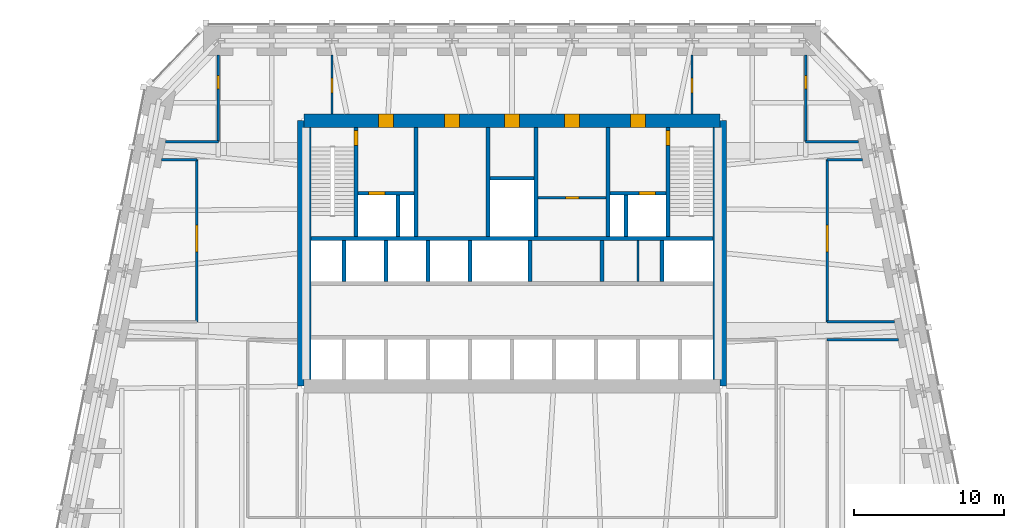
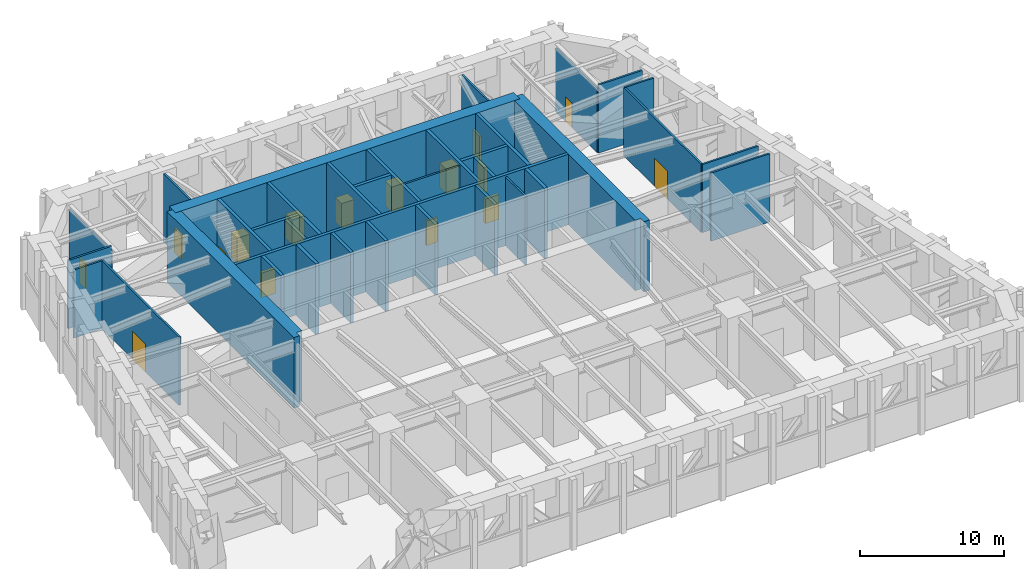
# One storey, part 7 of 9: 36 walls, 16 doors, 16 openings.
"""IFC4 building model written with IfcOpenShell, lengths in metres."""

from ifc_helpers import new_model, si_unit, direction, frame, frame_2d, origin, place, context, subcontext, project, spatial, polyline, rectangle, outline, extrude, material, layer, layer_set, type_object, element, fill, save


model = new_model("IFC4")

# Units and contexts
model_context = context("Model", 3, precision=1e-05, world=origin(), true_north=direction((0.0, 1.0)))
body_context = subcontext(model_context, "Body", "Model", "MODEL_VIEW")
ifc_project = project(units=[si_unit("LENGTHUNIT", "METRE"), si_unit("AREAUNIT", "SQUARE_METRE"), si_unit("VOLUMEUNIT", "CUBIC_METRE"), si_unit("PLANEANGLEUNIT", "RADIAN"), si_unit("MASSUNIT", "GRAM", prefix="KILO")], contexts=[model_context])

# Site, building, storey
site_placement = place(None, origin())
site = spatial("IfcSite", under=ifc_project, at=site_placement, CompositionType="ELEMENT")
building_placement = place(site_placement, origin())
building = spatial("IfcBuilding", under=site, at=building_placement, Name="Isbrekke Arena Tower", CompositionType="ELEMENT")
storey_placement = place(building_placement, frame((0.0, 0.0, 92.0)))
storey = spatial("IfcBuildingStorey", under=building, at=storey_placement, Name="L20", CompositionType="ELEMENT", Elevation=92.0)

# Wall
ifc_material_1 = material(Name="Concrete B65 (C65/80)", Category="concrete")
ifc_layer_1 = layer(ifc_material_1, 0.89990234375)
ifc_layer_set_1 = layer_set([ifc_layer_1], Name="CW2 CORE WALL 900")
wall_type_1 = type_object("IfcWallType", Name="CW2 CORE WALL 900", PredefinedType="SHEAR", material=ifc_layer_set_1)
wall_1_placement = place(storey_placement, frame((13.85009765625, 6.14990234375, 0.0), z_axis=(0.0, 0.0, 1.0), x_axis=(0.0, 1.0, 0.0)))
element("IfcWall", 1, at=wall_1_placement, inside=storey, type_object=wall_type_1, Name="Core wall E L20", PredefinedType="SHEAR", context=body_context, shape_type="SweptSolid", body=[
    extrude(outline(polyline([(0.0, -0.449951171875), (17.7001953125, -0.449951171875), (17.7001953125, 0.0), (17.250244140625, 0.0), (17.250244140625, 0.449951171875), (0.449951171875, 0.449951171875), (0.449951171875, 0.0), (0.0, 0.0), (0.0, -0.449951171875)])), origin(), (0.0, 0.0, 1.0), 6.0),
])

# Wall, openings, doors
wall_2_placement = place(storey_placement, frame((13.85009765625, 23.85009765625, 0.0), z_axis=(0.0, 0.0, 1.0), x_axis=(-1.0, 0.0, 0.0)))
wall_2 = element("IfcWall", 2, at=wall_2_placement, inside=storey, type_object=wall_type_1, Name="Core wall N L20", PredefinedType="SHEAR", context=body_context, shape_type="SweptSolid", body=[
    extrude(rectangle(XDim=27.7001953125, YDim=0.89990234375, at=frame_2d((13.85009765625, 0.0))), origin(), (0.0, 0.0, 1.0), 6.0),
])
opening_1_placement = place(wall_2_placement, frame((21.75, 0.0, 0.0)))
opening_1 = element("IfcOpeningElement", 3, at=opening_1_placement, cuts=wall_2, Name="Opening D3", PredefinedType="OPENING", context=body_context, shape_type="SweptSolid", body=[
    extrude(rectangle(XDim=1.0, YDim=2.10009765625, at=frame_2d((0.5, 1.050048828125))), frame((0.0, 0.46484375, 0.0), z_axis=(0.0, -1.0, 0.0), x_axis=(1.0, 0.0, 0.0)), (0.0, 0.0, 1.0), 0.9296875),
])
opening_2_placement = place(wall_2_placement, frame((4.949951171875, 0.0, 0.0)))
opening_2 = element("IfcOpeningElement", 4, at=opening_2_placement, cuts=wall_2, Name="Opening D3", PredefinedType="OPENING", context=body_context, shape_type="SweptSolid", body=[
    extrude(rectangle(XDim=1.0, YDim=2.10009765625, at=frame_2d((0.5, 1.050048828125))), frame((0.0, 0.46484375, 0.0), z_axis=(0.0, -1.0, 0.0), x_axis=(1.0, 0.0, 0.0)), (0.0, 0.0, 1.0), 0.9296875),
])
opening_3_placement = place(wall_2_placement, frame((17.35009765625, 0.0, 0.0)))
opening_3 = element("IfcOpeningElement", 5, at=opening_3_placement, cuts=wall_2, Name="Opening D4", PredefinedType="OPENING", context=body_context, shape_type="SweptSolid", body=[
    extrude(rectangle(XDim=1.0, YDim=2.10009765625, at=frame_2d((0.5, 1.050048828125))), frame((0.0, 0.46484375, 0.0), z_axis=(0.0, -1.0, 0.0), x_axis=(1.0, 0.0, 0.0)), (0.0, 0.0, 1.0), 0.9296875),
])
opening_4_placement = place(wall_2_placement, frame((13.35009765625, 0.0, 0.0)))
opening_4 = element("IfcOpeningElement", 6, at=opening_4_placement, cuts=wall_2, Name="Opening D4", PredefinedType="OPENING", context=body_context, shape_type="SweptSolid", body=[
    extrude(rectangle(XDim=1.0, YDim=2.10009765625, at=frame_2d((0.5, 1.050048828125))), frame((0.0, 0.46484375, 0.0), z_axis=(0.0, -1.0, 0.0), x_axis=(1.0, 0.0, 0.0)), (0.0, 0.0, 1.0), 0.9296875),
])
opening_5_placement = place(wall_2_placement, frame((9.35009765625, 0.0, 0.0)))
opening_5 = element("IfcOpeningElement", 7, at=opening_5_placement, cuts=wall_2, Name="Opening D4", PredefinedType="OPENING", context=body_context, shape_type="SweptSolid", body=[
    extrude(rectangle(XDim=1.0, YDim=2.10009765625, at=frame_2d((0.5, 1.050048828125))), frame((0.0, 0.46484375, 0.0), z_axis=(0.0, -1.0, 0.0), x_axis=(1.0, 0.0, 0.0)), (0.0, 0.0, 1.0), 0.9296875),
])
ifc_material_2 = material(Name="Steel fire door", Category="steel")
door_type_1 = type_object("IfcDoorType", Name="D3 FIRE LOBBY DOOR 1000 x 2100", OperationType="SINGLE_SWING_RIGHT", PredefinedType="DOOR", material=ifc_material_2)
door_1_placement = place(opening_1_placement, origin())
door_1 = element("IfcDoor", 8, at=door_1_placement, inside=storey, type_object=door_type_1, Name="D3 fire-fighting lobby door L20", OperationType="SINGLE_SWING_RIGHT", OverallHeight=2.10009765625, OverallWidth=1.0, PredefinedType="DOOR", context=body_context, shape_type="SweptSolid", body=[
    extrude(rectangle(XDim=1.0, YDim=2.10009765625, at=frame_2d((0.5, 1.050048828125))), frame((0.0, 0.44970703125, 0.0), z_axis=(0.0, -1.0, 0.0), x_axis=(1.0, 0.0, 0.0)), (0.0, 0.0, 1.0), 0.8994140625),
])
fill(opening_1, door_1)
door_2_placement = place(opening_2_placement, origin())
door_2 = element("IfcDoor", 9, at=door_2_placement, inside=storey, type_object=door_type_1, Name="D3 fire-fighting lobby door L20", OperationType="SINGLE_SWING_RIGHT", OverallHeight=2.10009765625, OverallWidth=1.0, PredefinedType="DOOR", context=body_context, shape_type="SweptSolid", body=[
    extrude(rectangle(XDim=1.0, YDim=2.10009765625, at=frame_2d((0.5, 1.050048828125))), frame((0.0, 0.44970703125, 0.0), z_axis=(0.0, -1.0, 0.0), x_axis=(1.0, 0.0, 0.0)), (0.0, 0.0, 1.0), 0.8994140625),
])
fill(opening_2, door_2)
ifc_material_3 = material(Name="Timber door", Category="wood")
door_type_2 = type_object("IfcDoorType", Name="D4 WC DOOR 1000 x 2100", OperationType="SINGLE_SWING_LEFT", PredefinedType="DOOR", material=ifc_material_3)
door_3_placement = place(opening_3_placement, origin())
door_3 = element("IfcDoor", 10, at=door_3_placement, inside=storey, type_object=door_type_2, Name="D4 wc female door L20", OperationType="SINGLE_SWING_LEFT", OverallHeight=2.10009765625, OverallWidth=1.0, PredefinedType="DOOR", context=body_context, shape_type="SweptSolid", body=[
    extrude(rectangle(XDim=1.0, YDim=2.10009765625, at=frame_2d((0.5, 1.050048828125))), frame((0.0, 0.44970703125, 0.0), z_axis=(0.0, -1.0, 0.0), x_axis=(1.0, 0.0, 0.0)), (0.0, 0.0, 1.0), 0.8994140625),
])
fill(opening_3, door_3)
door_4_placement = place(opening_4_placement, origin())
door_4 = element("IfcDoor", 11, at=door_4_placement, inside=storey, type_object=door_type_2, Name="D4 accessible wc door L20", OperationType="SINGLE_SWING_LEFT", OverallHeight=2.10009765625, OverallWidth=1.0, PredefinedType="DOOR", context=body_context, shape_type="SweptSolid", body=[
    extrude(rectangle(XDim=1.0, YDim=2.10009765625, at=frame_2d((0.5, 1.050048828125))), frame((0.0, 0.44970703125, 0.0), z_axis=(0.0, -1.0, 0.0), x_axis=(1.0, 0.0, 0.0)), (0.0, 0.0, 1.0), 0.8994140625),
])
fill(opening_4, door_4)
door_5_placement = place(opening_5_placement, origin())
door_5 = element("IfcDoor", 12, at=door_5_placement, inside=storey, type_object=door_type_2, Name="D4 wc male door L20", OperationType="SINGLE_SWING_LEFT", OverallHeight=2.10009765625, OverallWidth=1.0, PredefinedType="DOOR", context=body_context, shape_type="SweptSolid", body=[
    extrude(rectangle(XDim=1.0, YDim=2.10009765625, at=frame_2d((0.5, 1.050048828125))), frame((0.0, 0.44970703125, 0.0), z_axis=(0.0, -1.0, 0.0), x_axis=(1.0, 0.0, 0.0)), (0.0, 0.0, 1.0), 0.8994140625),
])
fill(opening_5, door_5)

# Walls
wall_3_placement = place(storey_placement, frame((-13.85009765625, 23.85009765625, 0.0), z_axis=(0.0, 0.0, 1.0), x_axis=(0.0, -1.0, 0.0)))
element("IfcWall", 13, at=wall_3_placement, inside=storey, type_object=wall_type_1, Name="Core wall W L20", PredefinedType="SHEAR", context=body_context, shape_type="SweptSolid", body=[
    extrude(outline(polyline([(0.0, -0.449951171875), (17.7001953125, -0.449951171875), (17.7001953125, 0.0), (17.250244140625, 0.0), (17.250244140625, 0.449951171875), (0.449951171875, 0.449951171875), (0.449951171875, 0.0), (0.0, 0.0), (0.0, -0.449951171875)])), origin(), (0.0, 0.0, 1.0), 6.0),
])
ifc_material_4 = material(Name="Concrete B45 (C45/55)", Category="concrete")
ifc_layer_2 = layer(ifc_material_4, 0.25)
ifc_layer_set_2 = layer_set([ifc_layer_2], Name="CW6 SHAFT WALL 250")
wall_type_2 = type_object("IfcWallType", Name="CW6 SHAFT WALL 250", PredefinedType="SHEAR", material=ifc_layer_set_2)
wall_4_placement = place(storey_placement, frame((-13.39990234375, 16.0, 0.0), z_axis=(0.0, 0.0, 1.0), x_axis=(1.0, 0.0, 0.0)))
element("IfcWall", 14, at=wall_4_placement, inside=storey, type_object=wall_type_2, Name="Core wall NB L20", PredefinedType="SHEAR", context=body_context, shape_type="SweptSolid", body=[
    extrude(rectangle(XDim=26.7998046875, YDim=0.25, at=frame_2d((13.39990234375, 0.0))), origin(), (0.0, 0.0, 1.0), 6.0),
])
for number, where, z_axis, x_axis, name in (
    (15, (-11.199951171875, 13.125, 0.0), (0.0, 0.0, 1.0), (0.0, 1.0, 0.0), "Core wall SN01 L20"),
    (16, (-8.39990234375, 13.125, 0.0), (0.0, 0.0, 1.0), (0.0, 1.0, 0.0), "Core wall SN02 L20"),
    (17, (-5.60009765625, 13.125, 0.0), (0.0, 0.0, 1.0), (0.0, 1.0, 0.0), "Core wall SN03 L20"),
    (18, (-2.800048828125, 13.125, 0.0), (0.0, 0.0, 1.0), (0.0, 1.0, 0.0), "Core wall SN04 L20"),
    (19, (1.199951171875, 13.125, 0.0), (0.0, 0.0, 1.0), (0.0, 1.0, 0.0), "Core wall SN05 L20"),
    (20, (6.0, 13.125, 0.0), (0.0, 0.0, 1.0), (0.0, 1.0, 0.0), "Core wall SN06 L20"),
    (21, (10.0, 13.125, 0.0), (0.0, 0.0, 1.0), (0.0, 1.0, 0.0), "Core wall SN07 L20"),
):
    element("IfcWall", number, at=place(storey_placement, frame(where, z_axis=z_axis, x_axis=x_axis)), inside=storey, type_object=wall_type_2, Name=name, PredefinedType="SHEAR", context=body_context, shape_type="SweptSolid", body=[
        extrude(rectangle(XDim=2.75, YDim=0.25, at=frame_2d((1.375, 0.0))), origin(), (0.0, 0.0, 1.0), 6.0),
    ])

# Wall, opening, door
wall_5_placement = place(storey_placement, frame((-10.39990234375, 16.125, 0.0), z_axis=(0.0, 0.0, 1.0), x_axis=(0.0, 1.0, 0.0)))
wall_5 = element("IfcWall", 22, at=wall_5_placement, inside=storey, type_object=wall_type_2, Name="Core wall NV01 L20", PredefinedType="SHEAR", context=body_context, shape_type="SweptSolid", body=[
    extrude(rectangle(XDim=7.27490234375, YDim=0.25, at=frame_2d((3.637451171875, 0.0))), origin(), (0.0, 0.0, 1.0), 6.0),
])
opening_6_placement = place(wall_5_placement, frame((6.074951171875, 0.0, 0.0)))
opening_6 = element("IfcOpeningElement", 23, at=opening_6_placement, cuts=wall_5, Name="Opening D2", PredefinedType="OPENING", context=body_context, shape_type="SweptSolid", body=[
    extrude(rectangle(XDim=1.0, YDim=2.10009765625, at=frame_2d((0.5, 1.050048828125))), frame((0.0, 0.139892578125, 0.0), z_axis=(0.0, -1.0, 0.0), x_axis=(1.0, 0.0, 0.0)), (0.0, 0.0, 1.0), 0.27978515625),
])
ifc_material_5 = material(Name="Steel fire door", Category="steel")
door_type_3 = type_object("IfcDoorType", Name="D2 STAIR DOOR 1000 x 2100", OperationType="SINGLE_SWING_LEFT", PredefinedType="DOOR", material=ifc_material_5)
door_6_placement = place(opening_6_placement, origin())
door_6 = element("IfcDoor", 24, at=door_6_placement, inside=storey, type_object=door_type_3, Name="D2 stair door ST1 L20", OperationType="SINGLE_SWING_LEFT", OverallHeight=2.10009765625, OverallWidth=1.0, PredefinedType="DOOR", context=body_context, shape_type="SweptSolid", body=[
    extrude(rectangle(XDim=1.0, YDim=2.10009765625, at=frame_2d((0.5, 1.050048828125))), frame((0.0, 0.124755859375, 0.0), z_axis=(0.0, -1.0, 0.0), x_axis=(1.0, 0.0, 0.0)), (0.0, 0.0, 1.0), 0.24951171875),
])
fill(opening_6, door_6)

# Walls
for number, where, z_axis, x_axis, name in (
    (25, (-6.39990234375, 16.125, 0.0), (0.0, 0.0, 1.0), (0.0, 1.0, 0.0), "Core wall NV02 L20"),
    (26, (-1.60009765625, 16.125, 0.0), (0.0, 0.0, 1.0), (0.0, 1.0, 0.0), "Core wall NV03 L20"),
    (27, (1.60009765625, 16.125, 0.0), (0.0, 0.0, 1.0), (0.0, 1.0, 0.0), "Core wall NV04 L20"),
    (28, (6.39990234375, 16.125, 0.0), (0.0, 0.0, 1.0), (0.0, 1.0, 0.0), "Core wall NV05 L20"),
):
    element("IfcWall", number, at=place(storey_placement, frame(where, z_axis=z_axis, x_axis=x_axis)), inside=storey, type_object=wall_type_2, Name=name, PredefinedType="SHEAR", context=body_context, shape_type="SweptSolid", body=[
        extrude(rectangle(XDim=7.27490234375, YDim=0.25, at=frame_2d((3.637451171875, 0.0))), origin(), (0.0, 0.0, 1.0), 6.0),
    ])

# Wall, opening, door
wall_6_placement = place(storey_placement, frame((10.39990234375, 16.125, 0.0), z_axis=(0.0, 0.0, 1.0), x_axis=(0.0, 1.0, 0.0)))
wall_6 = element("IfcWall", 29, at=wall_6_placement, inside=storey, type_object=wall_type_2, Name="Core wall NV06 L20", PredefinedType="SHEAR", context=body_context, shape_type="SweptSolid", body=[
    extrude(rectangle(XDim=7.27490234375, YDim=0.25, at=frame_2d((3.637451171875, 0.0))), origin(), (0.0, 0.0, 1.0), 6.0),
])
opening_7_placement = place(wall_6_placement, frame((6.074951171875, 0.0, 0.0)))
opening_7 = element("IfcOpeningElement", 30, at=opening_7_placement, cuts=wall_6, Name="Opening D2", PredefinedType="OPENING", context=body_context, shape_type="SweptSolid", body=[
    extrude(rectangle(XDim=1.0, YDim=2.10009765625, at=frame_2d((0.5, 1.050048828125))), frame((0.0, 0.139892578125, 0.0), z_axis=(0.0, -1.0, 0.0), x_axis=(1.0, 0.0, 0.0)), (0.0, 0.0, 1.0), 0.27978515625),
])
door_7_placement = place(opening_7_placement, origin())
door_7 = element("IfcDoor", 31, at=door_7_placement, inside=storey, type_object=door_type_3, Name="D2 stair door ST2 L20", OperationType="SINGLE_SWING_LEFT", OverallHeight=2.10009765625, OverallWidth=1.0, PredefinedType="DOOR", context=body_context, shape_type="SweptSolid", body=[
    extrude(rectangle(XDim=1.0, YDim=2.10009765625, at=frame_2d((0.5, 1.050048828125))), frame((0.0, 0.124755859375, 0.0), z_axis=(0.0, -1.0, 0.0), x_axis=(1.0, 0.0, 0.0)), (0.0, 0.0, 1.0), 0.24951171875),
])
fill(opening_7, door_7)

wall_7_placement = place(storey_placement, frame((-10.27490234375, 19.0, 0.0), z_axis=(0.0, 0.0, 1.0), x_axis=(1.0, 0.0, 0.0)))
wall_7 = element("IfcWall", 32, at=wall_7_placement, inside=storey, type_object=wall_type_2, Name="Core wall NFW L20", PredefinedType="SHEAR", context=body_context, shape_type="SweptSolid", body=[
    extrude(rectangle(XDim=3.75, YDim=0.25, at=frame_2d((1.875, 0.0))), origin(), (0.0, 0.0, 1.0), 6.0),
])
opening_8_placement = place(wall_7_placement, frame((0.72509765625, 0.0, 0.0)))
opening_8 = element("IfcOpeningElement", 33, at=opening_8_placement, cuts=wall_7, Name="Opening LD2", PredefinedType="OPENING", context=body_context, shape_type="SweptSolid", body=[
    extrude(rectangle(XDim=1.10009765625, YDim=2.10009765625, at=frame_2d((0.550048828125, 1.050048828125))), frame((0.0, 0.139892578125, 0.0), z_axis=(0.0, -1.0, 0.0), x_axis=(1.0, 0.0, 0.0)), (0.0, 0.0, 1.0), 0.27978515625),
])
ifc_material_6 = material(Name="Stainless steel lift landing door", Category="steel")
door_type_4 = type_object("IfcDoorType", Name="LD2 FIRE-FIGHTING LIFT LANDING DOOR 1100 x 2100", OperationType="SLIDING_TO_RIGHT", PredefinedType="DOOR", material=ifc_material_6)
door_8_placement = place(opening_8_placement, origin())
door_8 = element("IfcDoor", 34, at=door_8_placement, inside=storey, type_object=door_type_4, Name="LD2 lift landing door LF L20", OperationType="SLIDING_TO_RIGHT", OverallHeight=2.10009765625, OverallWidth=1.10009765625, PredefinedType="DOOR", context=body_context, shape_type="SweptSolid", body=[
    extrude(rectangle(XDim=1.10009765625, YDim=2.10009765625, at=frame_2d((0.550048828125, 1.050048828125))), frame((0.0, 0.124755859375, 0.0), z_axis=(0.0, -1.0, 0.0), x_axis=(1.0, 0.0, 0.0)), (0.0, 0.0, 1.0), 0.24951171875),
])
fill(opening_8, door_8)

wall_8_placement = place(storey_placement, frame((6.52490234375, 19.0, 0.0), z_axis=(0.0, 0.0, 1.0), x_axis=(1.0, 0.0, 0.0)))
wall_8 = element("IfcWall", 35, at=wall_8_placement, inside=storey, type_object=wall_type_2, Name="Core wall NFE L20", PredefinedType="SHEAR", context=body_context, shape_type="SweptSolid", body=[
    extrude(rectangle(XDim=3.75, YDim=0.25, at=frame_2d((1.875, 0.0))), origin(), (0.0, 0.0, 1.0), 6.0),
])
opening_9_placement = place(wall_8_placement, frame((1.925048828125, 0.0, 0.0)))
opening_9 = element("IfcOpeningElement", 36, at=opening_9_placement, cuts=wall_8, Name="Opening LD2", PredefinedType="OPENING", context=body_context, shape_type="SweptSolid", body=[
    extrude(rectangle(XDim=1.10009765625, YDim=2.10009765625, at=frame_2d((0.550048828125, 1.050048828125))), frame((0.0, 0.139892578125, 0.0), z_axis=(0.0, -1.0, 0.0), x_axis=(1.0, 0.0, 0.0)), (0.0, 0.0, 1.0), 0.27978515625),
])
door_9_placement = place(opening_9_placement, origin())
door_9 = element("IfcDoor", 37, at=door_9_placement, inside=storey, type_object=door_type_4, Name="LD2 lift landing door LF L20", OperationType="SLIDING_TO_RIGHT", OverallHeight=2.10009765625, OverallWidth=1.10009765625, PredefinedType="DOOR", context=body_context, shape_type="SweptSolid", body=[
    extrude(rectangle(XDim=1.10009765625, YDim=2.10009765625, at=frame_2d((0.550048828125, 1.050048828125))), frame((0.0, 0.124755859375, 0.0), z_axis=(0.0, -1.0, 0.0), x_axis=(1.0, 0.0, 0.0)), (0.0, 0.0, 1.0), 0.24951171875),
])
fill(opening_9, door_9)

# Walls
for number, where, z_axis, x_axis, name in (
    (38, (-7.60009765625, 16.125, 0.0), (0.0, 0.0, 1.0), (0.0, 1.0, 0.0), "Core wall NFS1 L20"),
    (39, (7.60009765625, 16.125, 0.0), (0.0, 0.0, 1.0), (0.0, 1.0, 0.0), "Core wall NFS2 L20"),
):
    element("IfcWall", number, at=place(storey_placement, frame(where, z_axis=z_axis, x_axis=x_axis)), inside=storey, type_object=wall_type_2, Name=name, PredefinedType="SHEAR", context=body_context, shape_type="SweptSolid", body=[
        extrude(rectangle(XDim=2.75, YDim=0.25, at=frame_2d((1.375, 0.0))), origin(), (0.0, 0.0, 1.0), 6.0),
    ])
wall_9_placement = place(storey_placement, frame((-1.47509765625, 20.0, 0.0), z_axis=(0.0, 0.0, 1.0), x_axis=(1.0, 0.0, 0.0)))
element("IfcWall", 40, at=wall_9_placement, inside=storey, type_object=wall_type_2, Name="Core wall NWC L20", PredefinedType="SHEAR", context=body_context, shape_type="SweptSolid", body=[
    extrude(rectangle(XDim=2.9501953125, YDim=0.25, at=frame_2d((1.47509765625, 0.0))), origin(), (0.0, 0.0, 1.0), 6.0),
])

# Wall, opening, door
ifc_material_7 = material(Name="Gypsum board fire-rated partition on steel studs, two layers each side", Category="steel")
ifc_layer_3 = layer(ifc_material_7, 0.14990234375)
ifc_layer_set_3 = layer_set([ifc_layer_3], Name="IW5 FIRE-RATED PARTITION 150")
wall_type_3 = type_object("IfcWallType", Name="IW5 FIRE-RATED PARTITION 150", PredefinedType="PARTITIONING", material=ifc_layer_set_3)
wall_10_placement = place(storey_placement, frame((1.72509765625, 18.699951171875, 0.0), z_axis=(0.0, 0.0, 1.0), x_axis=(1.0, 0.0, 0.0)))
wall_10 = element("IfcWall", 41, at=wall_10_placement, inside=storey, type_object=wall_type_3, Name="IW5 fire-rated partition L20 cleaner's store M", PredefinedType="PARTITIONING", context=body_context, shape_type="SweptSolid", body=[
    extrude(rectangle(XDim=4.5498046875, YDim=0.14990234375, at=frame_2d((2.27490234375, 0.0))), origin(), (0.0, 0.0, 1.0), 5.85009765625),
])
opening_10_placement = place(wall_10_placement, frame((1.824951171875, 0.0, 0.0)))
opening_10 = element("IfcOpeningElement", 42, at=opening_10_placement, cuts=wall_10, Name="Opening D5", PredefinedType="OPENING", context=body_context, shape_type="SweptSolid", body=[
    extrude(rectangle(XDim=0.89990234375, YDim=2.10009765625, at=frame_2d((0.449951171875, 1.050048828125))), frame((0.0, 0.08984375, 0.0), z_axis=(0.0, -1.0, 0.0), x_axis=(1.0, 0.0, 0.0)), (0.0, 0.0, 1.0), 0.1796875),
])
ifc_material_8 = material(Name="Steel fire door", Category="steel")
door_type_5 = type_object("IfcDoorType", Name="D5 SERVICE DOOR 900 x 2100", OperationType="SINGLE_SWING_LEFT", PredefinedType="DOOR", material=ifc_material_8)
door_10_placement = place(opening_10_placement, origin())
door_10 = element("IfcDoor", 43, at=door_10_placement, inside=storey, type_object=door_type_5, Name="D5 cleaner's store door L20", OperationType="SINGLE_SWING_LEFT", OverallHeight=2.10009765625, OverallWidth=0.89990234375, PredefinedType="DOOR", context=body_context, shape_type="SweptSolid", body=[
    extrude(rectangle(XDim=0.89990234375, YDim=2.10009765625, at=frame_2d((0.449951171875, 1.050048828125))), frame((0.0, 0.07470703125, 0.0), z_axis=(0.0, -1.0, 0.0), x_axis=(1.0, 0.0, 0.0)), (0.0, 0.0, 1.0), 0.1494140625),
])
fill(opening_10, door_10)

# Wall
wall_11_placement = place(storey_placement, frame((8.39990234375, 13.125, 0.0), z_axis=(0.0, 0.0, 1.0), x_axis=(0.0, 1.0, 0.0)))
element("IfcWall", 44, at=wall_11_placement, inside=storey, type_object=wall_type_3, Name="IW5 fire-rated partition L20 core service rooms 1", PredefinedType="PARTITIONING", context=body_context, shape_type="SweptSolid", body=[
    extrude(rectangle(XDim=2.75, YDim=0.14990234375, at=frame_2d((1.375, 0.0))), origin(), (0.0, 0.0, 1.0), 5.85009765625),
])

# Wall, opening, door
wall_12_placement = place(storey_placement, frame((21.0, 10.43994140625, 0.0), z_axis=(0.0, 0.0, 1.0), x_axis=(0.0, 1.0, 0.0)))
wall_12 = element("IfcWall", 45, at=wall_12_placement, inside=storey, type_object=wall_type_3, Name="IW5 fire-rated partition L20 plant WEC", PredefinedType="PARTITIONING", context=body_context, shape_type="SweptSolid", body=[
    extrude(rectangle(XDim=10.800048828125, YDim=0.14990234375, at=frame_2d((5.39990234375, 0.0))), origin(), (0.0, 0.0, 1.0), 5.800048828125),
])
opening_11_placement = place(wall_12_placement, frame((4.659912109375, 0.0, 0.0)))
opening_11 = element("IfcOpeningElement", 46, at=opening_11_placement, cuts=wall_12, Name="Opening D8", PredefinedType="OPENING", context=body_context, shape_type="SweptSolid", body=[
    extrude(rectangle(XDim=1.800048828125, YDim=2.39990234375, at=frame_2d((0.89990234375, 1.199951171875))), frame((0.0, 0.08984375, 0.0), z_axis=(0.0, -1.0, 0.0), x_axis=(1.0, 0.0, 0.0)), (0.0, 0.0, 1.0), 0.1796875),
])
ifc_material_9 = material(Name="Steel fire door", Category="steel")
door_type_6 = type_object("IfcDoorType", Name="D8 PLANT ROOM DOOR 1800 x 2400", OperationType="DOUBLE_DOOR_SINGLE_SWING", PredefinedType="DOOR", material=ifc_material_9)
door_11_placement = place(opening_11_placement, origin())
door_11 = element("IfcDoor", 47, at=door_11_placement, inside=storey, type_object=door_type_6, Name="D8 fresh air plant room door L20", OperationType="DOUBLE_DOOR_SINGLE_SWING", OverallHeight=2.39990234375, OverallWidth=1.800048828125, PredefinedType="DOOR", context=body_context, shape_type="SweptSolid", body=[
    extrude(rectangle(XDim=1.800048828125, YDim=2.39990234375, at=frame_2d((0.89990234375, 1.199951171875))), frame((0.0, 0.07470703125, 0.0), z_axis=(0.0, -1.0, 0.0), x_axis=(1.0, 0.0, 0.0)), (0.0, 0.0, 1.0), 0.1494140625),
])
fill(opening_11, door_11)

# Walls
wall_13_placement = place(storey_placement, frame((21.0, 9.239990234375, 0.0), z_axis=(0.0, 0.0, 1.0), x_axis=(1.0, 0.0, 0.0)))
element("IfcWall", 48, at=wall_13_placement, inside=storey, type_object=wall_type_3, Name="IW5 fire-rated partition L20 plant WEF", PredefinedType="PARTITIONING", context=body_context, shape_type="SweptSolid", body=[
    extrude(rectangle(XDim=4.73681640625, YDim=0.14990234375, at=frame_2d((2.368408203125, 0.0))), origin(), (0.0, 0.0, 1.0), 5.800048828125),
])
wall_14_placement = place(storey_placement, frame((21.0, 10.43994140625, 0.0), z_axis=(0.0, 0.0, 1.0), x_axis=(1.0, 0.0, 0.0)))
element("IfcWall", 49, at=wall_14_placement, inside=storey, type_object=wall_type_3, Name="IW5 fire-rated partition L20 plant WEG", PredefinedType="PARTITIONING", context=body_context, shape_type="SweptSolid", body=[
    extrude(rectangle(XDim=4.49658203125, YDim=0.14990234375, at=frame_2d((2.248291015625, 0.0))), origin(), (0.0, 0.0, 1.0), 5.800048828125),
])
wall_15_placement = place(storey_placement, frame((21.0, 21.239990234375, 0.0), z_axis=(0.0, 0.0, 1.0), x_axis=(1.0, 0.0, 0.0)))
element("IfcWall", 50, at=wall_15_placement, inside=storey, type_object=wall_type_3, Name="IW5 fire-rated partition L20 plant WEH", PredefinedType="PARTITIONING", context=body_context, shape_type="SweptSolid", body=[
    extrude(rectangle(XDim=2.336669921875, YDim=0.14990234375, at=frame_2d((1.16845703125, 0.0))), origin(), (0.0, 0.0, 1.0), 5.800048828125),
])
wall_16_placement = place(storey_placement, frame((19.570068359375, 22.43994140625, 0.0), z_axis=(0.0, 0.0, 1.0), x_axis=(1.0, 0.0, 0.0)))
element("IfcWall", 51, at=wall_16_placement, inside=storey, type_object=wall_type_3, Name="IW5 fire-rated partition L20 plant WEJ", PredefinedType="PARTITIONING", context=body_context, shape_type="SweptSolid", body=[
    extrude(rectangle(XDim=3.526611328125, YDim=0.14990234375, at=frame_2d((1.76318359375, 0.0))), origin(), (0.0, 0.0, 1.0), 5.800048828125),
])

# Wall, opening, door
wall_17_placement = place(storey_placement, frame((19.570068359375, 22.43994140625, 0.0), z_axis=(0.0, 0.0, 1.0), x_axis=(0.0, 1.0, 0.0)))
wall_17 = element("IfcWall", 52, at=wall_17_placement, inside=storey, type_object=wall_type_3, Name="IW5 fire-rated partition L20 plant WEK", PredefinedType="PARTITIONING", context=body_context, shape_type="SweptSolid", body=[
    extrude(rectangle(XDim=5.780029296875, YDim=0.14990234375, at=frame_2d((2.89013671875, 0.0))), origin(), (0.0, 0.0, 1.0), 5.367919921875),
])
opening_12_placement = place(wall_17_placement, frame((3.510009765625, 0.0, 0.0)))
opening_12 = element("IfcOpeningElement", 53, at=opening_12_placement, cuts=wall_17, Name="Opening D5", PredefinedType="OPENING", context=body_context, shape_type="SweptSolid", body=[
    extrude(rectangle(XDim=0.89990234375, YDim=2.10009765625, at=frame_2d((0.449951171875, 1.050048828125))), frame((0.0, 0.08984375, 0.0), z_axis=(0.0, -1.0, 0.0), x_axis=(1.0, 0.0, 0.0)), (0.0, 0.0, 1.0), 0.1796875),
])
door_12_placement = place(opening_12_placement, origin())
door_12 = element("IfcDoor", 54, at=door_12_placement, inside=storey, type_object=door_type_5, Name="D5 stair pressurisation plant room door L20", OperationType="SINGLE_SWING_LEFT", OverallHeight=2.10009765625, OverallWidth=0.89990234375, PredefinedType="DOOR", context=body_context, shape_type="SweptSolid", body=[
    extrude(rectangle(XDim=0.89990234375, YDim=2.10009765625, at=frame_2d((0.449951171875, 1.050048828125))), frame((0.0, 0.07470703125, 0.0), z_axis=(0.0, -1.0, 0.0), x_axis=(1.0, 0.0, 0.0)), (0.0, 0.0, 1.0), 0.1494140625),
])
fill(opening_12, door_12)

wall_18_placement = place(storey_placement, frame((12.0, 24.300048828125, 0.0), z_axis=(0.0, 0.0, 1.0), x_axis=(0.0, 1.0, 0.0)))
wall_18 = element("IfcWall", 55, at=wall_18_placement, inside=storey, type_object=wall_type_3, Name="IW5 fire-rated partition L20 plant WEM", PredefinedType="PARTITIONING", context=body_context, shape_type="SweptSolid", body=[
    extrude(rectangle(XDim=3.919921875, YDim=0.14990234375, at=frame_2d((1.9599609375, 0.0))), origin(), (0.0, 0.0, 1.0), 5.800048828125),
])
opening_13_placement = place(wall_18_placement, frame((1.39990234375, 0.0, 0.0)))
opening_13 = element("IfcOpeningElement", 56, at=opening_13_placement, cuts=wall_18, Name="Opening D3", PredefinedType="OPENING", context=body_context, shape_type="SweptSolid", body=[
    extrude(rectangle(XDim=1.0, YDim=2.10009765625, at=frame_2d((0.5, 1.050048828125))), frame((0.0, 0.08984375, 0.0), z_axis=(0.0, -1.0, 0.0), x_axis=(1.0, 0.0, 0.0)), (0.0, 0.0, 1.0), 0.1796875),
])
door_13_placement = place(opening_13_placement, origin())
door_13 = element("IfcDoor", 57, at=door_13_placement, inside=storey, type_object=door_type_1, Name="D3 refuge area door L20", OperationType="SINGLE_SWING_RIGHT", OverallHeight=2.10009765625, OverallWidth=1.0, PredefinedType="DOOR", context=body_context, shape_type="SweptSolid", body=[
    extrude(rectangle(XDim=1.0, YDim=2.10009765625, at=frame_2d((0.5, 1.050048828125))), frame((0.0, 0.07470703125, 0.0), z_axis=(0.0, -1.0, 0.0), x_axis=(1.0, 0.0, 0.0)), (0.0, 0.0, 1.0), 0.1494140625),
])
fill(opening_13, door_13)

wall_19_placement = place(storey_placement, frame((-21.0, 10.43994140625, 0.0), z_axis=(0.0, 0.0, 1.0), x_axis=(0.0, 1.0, 0.0)))
wall_19 = element("IfcWall", 58, at=wall_19_placement, inside=storey, type_object=wall_type_3, Name="IW5 fire-rated partition L20 plant WWC", PredefinedType="PARTITIONING", context=body_context, shape_type="SweptSolid", body=[
    extrude(rectangle(XDim=10.800048828125, YDim=0.14990234375, at=frame_2d((5.39990234375, 0.0))), origin(), (0.0, 0.0, 1.0), 5.800048828125),
])
opening_14_placement = place(wall_19_placement, frame((4.659912109375, 0.0, 0.0)))
opening_14 = element("IfcOpeningElement", 59, at=opening_14_placement, cuts=wall_19, Name="Opening D8", PredefinedType="OPENING", context=body_context, shape_type="SweptSolid", body=[
    extrude(rectangle(XDim=1.800048828125, YDim=2.39990234375, at=frame_2d((0.89990234375, 1.199951171875))), frame((0.0, 0.08984375, 0.0), z_axis=(0.0, -1.0, 0.0), x_axis=(1.0, 0.0, 0.0)), (0.0, 0.0, 1.0), 0.1796875),
])
door_14_placement = place(opening_14_placement, origin())
door_14 = element("IfcDoor", 60, at=door_14_placement, inside=storey, type_object=door_type_6, Name="D8 exhaust air plant room door L20", OperationType="DOUBLE_DOOR_SINGLE_SWING", OverallHeight=2.39990234375, OverallWidth=1.800048828125, PredefinedType="DOOR", context=body_context, shape_type="SweptSolid", body=[
    extrude(rectangle(XDim=1.800048828125, YDim=2.39990234375, at=frame_2d((0.89990234375, 1.199951171875))), frame((0.0, 0.07470703125, 0.0), z_axis=(0.0, -1.0, 0.0), x_axis=(1.0, 0.0, 0.0)), (0.0, 0.0, 1.0), 0.1494140625),
])
fill(opening_14, door_14)

# Walls
wall_20_placement = place(storey_placement, frame((-21.0, 21.239990234375, 0.0), z_axis=(0.0, 0.0, 1.0), x_axis=(-1.0, 0.0, 0.0)))
element("IfcWall", 61, at=wall_20_placement, inside=storey, type_object=wall_type_3, Name="IW5 fire-rated partition L20 plant WWH", PredefinedType="PARTITIONING", context=body_context, shape_type="SweptSolid", body=[
    extrude(rectangle(XDim=2.336669921875, YDim=0.14990234375, at=frame_2d((1.16845703125, 0.0))), origin(), (0.0, 0.0, 1.0), 5.800048828125),
])
wall_21_placement = place(storey_placement, frame((-19.570068359375, 22.43994140625, 0.0), z_axis=(0.0, 0.0, 1.0), x_axis=(-1.0, 0.0, 0.0)))
element("IfcWall", 62, at=wall_21_placement, inside=storey, type_object=wall_type_3, Name="IW5 fire-rated partition L20 plant WWJ", PredefinedType="PARTITIONING", context=body_context, shape_type="SweptSolid", body=[
    extrude(rectangle(XDim=3.526611328125, YDim=0.14990234375, at=frame_2d((1.76318359375, 0.0))), origin(), (0.0, 0.0, 1.0), 5.800048828125),
])

# Wall, opening, door
wall_22_placement = place(storey_placement, frame((-19.570068359375, 22.43994140625, 0.0), z_axis=(0.0, 0.0, 1.0), x_axis=(0.0, 1.0, 0.0)))
wall_22 = element("IfcWall", 63, at=wall_22_placement, inside=storey, type_object=wall_type_3, Name="IW5 fire-rated partition L20 plant WWK", PredefinedType="PARTITIONING", context=body_context, shape_type="SweptSolid", body=[
    extrude(rectangle(XDim=5.780029296875, YDim=0.14990234375, at=frame_2d((2.89013671875, 0.0))), origin(), (0.0, 0.0, 1.0), 5.367919921875),
])
opening_15_placement = place(wall_22_placement, frame((3.510009765625, 0.0, 0.0)))
opening_15 = element("IfcOpeningElement", 64, at=opening_15_placement, cuts=wall_22, Name="Opening D5", PredefinedType="OPENING", context=body_context, shape_type="SweptSolid", body=[
    extrude(rectangle(XDim=0.89990234375, YDim=2.10009765625, at=frame_2d((0.449951171875, 1.050048828125))), frame((0.0, 0.08984375, 0.0), z_axis=(0.0, -1.0, 0.0), x_axis=(1.0, 0.0, 0.0)), (0.0, 0.0, 1.0), 0.1796875),
])
door_15_placement = place(opening_15_placement, origin())
door_15 = element("IfcDoor", 65, at=door_15_placement, inside=storey, type_object=door_type_5, Name="D5 telecommunications equipment room door L20", OperationType="SINGLE_SWING_LEFT", OverallHeight=2.10009765625, OverallWidth=0.89990234375, PredefinedType="DOOR", context=body_context, shape_type="SweptSolid", body=[
    extrude(rectangle(XDim=0.89990234375, YDim=2.10009765625, at=frame_2d((0.449951171875, 1.050048828125))), frame((0.0, 0.07470703125, 0.0), z_axis=(0.0, -1.0, 0.0), x_axis=(1.0, 0.0, 0.0)), (0.0, 0.0, 1.0), 0.1494140625),
])
fill(opening_15, door_15)

wall_23_placement = place(storey_placement, frame((-12.0, 24.300048828125, 0.0), z_axis=(0.0, 0.0, 1.0), x_axis=(0.0, 1.0, 0.0)))
wall_23 = element("IfcWall", 66, at=wall_23_placement, inside=storey, type_object=wall_type_3, Name="IW5 fire-rated partition L20 plant WWM", PredefinedType="PARTITIONING", context=body_context, shape_type="SweptSolid", body=[
    extrude(rectangle(XDim=3.919921875, YDim=0.14990234375, at=frame_2d((1.9599609375, 0.0))), origin(), (0.0, 0.0, 1.0), 5.800048828125),
])
opening_16_placement = place(wall_23_placement, frame((1.39990234375, 0.0, 0.0)))
opening_16 = element("IfcOpeningElement", 67, at=opening_16_placement, cuts=wall_23, Name="Opening D3", PredefinedType="OPENING", context=body_context, shape_type="SweptSolid", body=[
    extrude(rectangle(XDim=1.0, YDim=2.10009765625, at=frame_2d((0.5, 1.050048828125))), frame((0.0, 0.08984375, 0.0), z_axis=(0.0, -1.0, 0.0), x_axis=(1.0, 0.0, 0.0)), (0.0, 0.0, 1.0), 0.1796875),
])
door_16_placement = place(opening_16_placement, origin())
door_16 = element("IfcDoor", 68, at=door_16_placement, inside=storey, type_object=door_type_1, Name="D3 refuge area door L20", OperationType="SINGLE_SWING_RIGHT", OverallHeight=2.10009765625, OverallWidth=1.0, PredefinedType="DOOR", context=body_context, shape_type="SweptSolid", body=[
    extrude(rectangle(XDim=1.0, YDim=2.10009765625, at=frame_2d((0.5, 1.050048828125))), frame((0.0, 0.07470703125, 0.0), z_axis=(0.0, -1.0, 0.0), x_axis=(1.0, 0.0, 0.0)), (0.0, 0.0, 1.0), 0.1494140625),
])
fill(opening_16, door_16)

save(model, "model.ifc")
